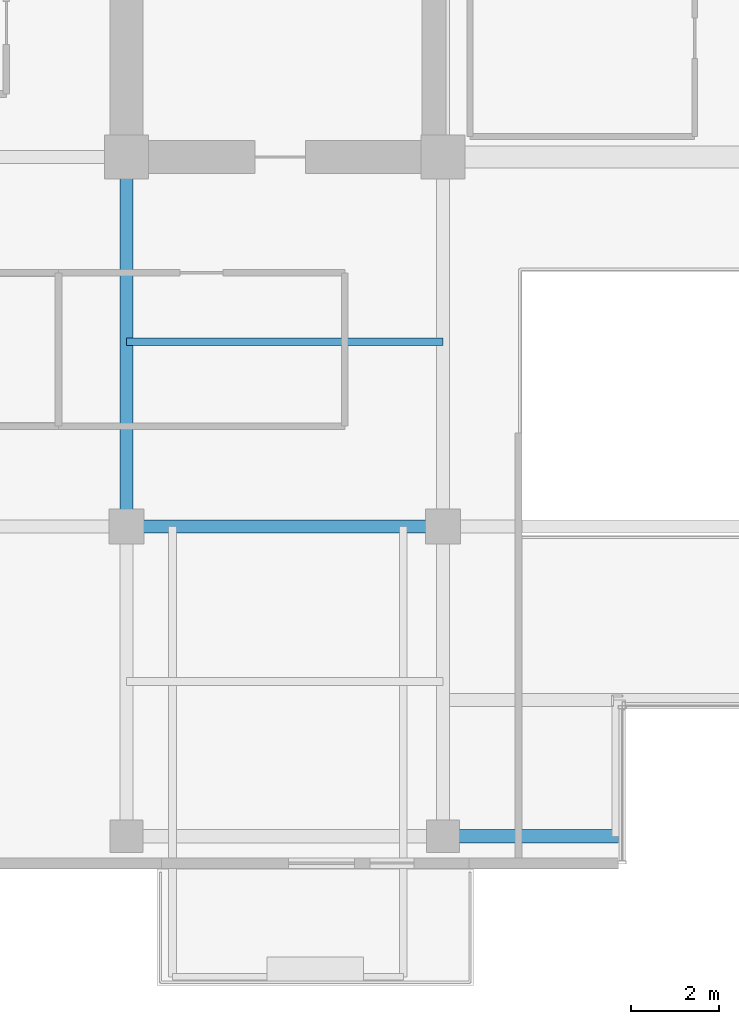
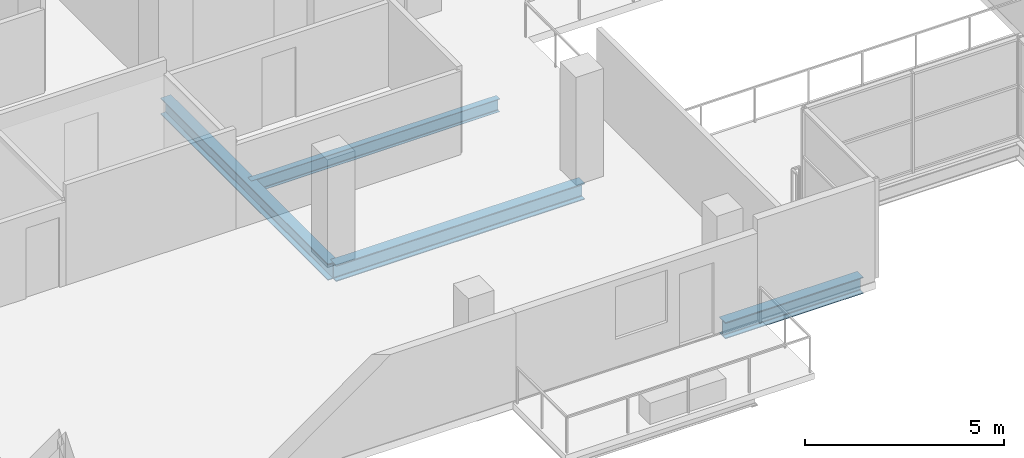
# One storey, part 5 of 25: 4 beams.
"""IFC4 building model written with IfcOpenShell, lengths in metres."""

from ifc_helpers import new_model, si_unit, direction, frame, origin, origin_2d, place, context, subcontext, project, spatial, i_section, extrude, material, material_profile, profile_set, type_object, element, save


model = new_model("IFC4")

# Units and contexts
model_context = context("Model", 3, precision=1e-05, world=origin(), true_north=direction((0.0, 1.0)))
body_context = subcontext(model_context, "Body", "Model", "MODEL_VIEW")
ifc_project = project(units=[si_unit("LENGTHUNIT", "METRE"), si_unit("AREAUNIT", "SQUARE_METRE"), si_unit("VOLUMEUNIT", "CUBIC_METRE"), si_unit("PLANEANGLEUNIT", "RADIAN"), si_unit("MASSUNIT", "GRAM", prefix="KILO")], contexts=[model_context])

# Site, building, storey
site_placement = place(None, origin())
site = spatial("IfcSite", under=ifc_project, at=site_placement, CompositionType="ELEMENT")
building_placement = place(site_placement, origin())
building = spatial("IfcBuilding", under=site, at=building_placement, Name="Zarnakvel Exchange Tower", CompositionType="ELEMENT")
storey_placement = place(building_placement, frame((0.0, 0.0, 169.300048828125)))
storey = spatial("IfcBuildingStorey", under=building, at=storey_placement, Name="L47", CompositionType="ELEMENT", Elevation=169.300048828125)

# Beams
ifc_material = material(Name="Steel S355", Category="steel")
ifc_material_profile_1 = material_profile(ifc_material, i_section(OverallWidth=0.179931640625, OverallDepth=0.39990234375, WebThickness=0.008544921875, FlangeThickness=0.013427734375, FilletRadius=0.02099609375, at=origin_2d()))
ifc_profile_set_1 = profile_set([ifc_material_profile_1], Name="Steel S355")
beam_type_1 = type_object("IfcBeamType", Name="B-06", PredefinedType="JOIST", material=ifc_profile_set_1)
beam_1_placement = place(storey_placement, frame((-14.39990234375, -5.39990234375, -0.425048828125), z_axis=(1.0, 0.0, 0.0), x_axis=(0.0, 1.0, 0.0)))
element("IfcBeam", 1, at=beam_1_placement, inside=storey, type_object=beam_type_1, Name="L47 Composite Floor Secondary Joist", PredefinedType="JOIST", context=body_context, shape_type="SweptSolid", body=[
    extrude(i_section(OverallWidth=0.179931640625, OverallDepth=0.39990234375, WebThickness=0.008544921875, FlangeThickness=0.013427734375, FilletRadius=0.02099609375, at=origin_2d()), origin(), (0.0, 0.0, 1.0), 7.199951171875),
])
ifc_material_profile_2 = material_profile(ifc_material, i_section(OverallWidth=0.300048828125, OverallDepth=0.5, WebThickness=0.014404296875, FlangeThickness=0.028076171875, FilletRadius=0.027099609375, at=origin_2d()))
ifc_profile_set_2 = profile_set([ifc_material_profile_2], Name="Steel S355")
beam_type_2 = type_object("IfcBeamType", Name="G-06", PredefinedType="BEAM", material=ifc_profile_set_2)
beam_2_placement = place(storey_placement, frame((-14.39990234375, -9.60009765625, -0.47509765625), z_axis=(1.0, 0.0, 0.0), x_axis=(0.0, 1.0, 0.0)))
element("IfcBeam", 2, at=beam_2_placement, inside=storey, type_object=beam_type_2, Name="L47 Tower E-W Frame Beam", PredefinedType="BEAM", context=body_context, shape_type="SweptSolid", body=[
    extrude(i_section(OverallWidth=0.300048828125, OverallDepth=0.5, WebThickness=0.014404296875, FlangeThickness=0.028076171875, FilletRadius=0.027099609375, at=origin_2d()), origin(), (0.0, 0.0, 1.0), 7.199951171875),
])
beam_3_placement = place(storey_placement, frame((-14.39990234375, -9.60009765625, -0.47509765625), z_axis=(0.0, 1.0, 0.0), x_axis=(-1.0, 0.0, 0.0)))
element("IfcBeam", 3, at=beam_3_placement, inside=storey, type_object=beam_type_2, Name="L47 Tower N-S Frame Beam", PredefinedType="BEAM", context=body_context, shape_type="SweptSolid", body=[
    extrude(i_section(OverallWidth=0.300048828125, OverallDepth=0.5, WebThickness=0.014404296875, FlangeThickness=0.028076171875, FilletRadius=0.027099609375, at=origin_2d()), origin(), (0.0, 0.0, 1.0), 8.400146484375),
])
ifc_material_profile_3 = material_profile(ifc_material, i_section(OverallWidth=0.300048828125, OverallDepth=0.5, WebThickness=0.014404296875, FlangeThickness=0.028076171875, FilletRadius=0.027099609375, at=origin_2d()))
ifc_profile_set_3 = profile_set([ifc_material_profile_3], Name="Steel S355")
beam_type_3 = type_object("IfcBeamType", Name="SP-02", PredefinedType="SPANDREL", material=ifc_profile_set_3)
beam_4_placement = place(storey_placement, frame((-7.199951171875, -16.64990234375, -0.47509765625), z_axis=(1.0, 0.0, 0.0), x_axis=(0.0, 1.0, 0.0)))
element("IfcBeam", 4, at=beam_4_placement, inside=storey, type_object=beam_type_3, Name="L47 South Slot West Jamb Spandrel", PredefinedType="SPANDREL", context=body_context, shape_type="SweptSolid", body=[
    extrude(i_section(OverallWidth=0.300048828125, OverallDepth=0.5, WebThickness=0.014404296875, FlangeThickness=0.028076171875, FilletRadius=0.027099609375, at=origin_2d()), origin(), (0.0, 0.0, 1.0), 4.0),
])

save(model, "model.ifc")
